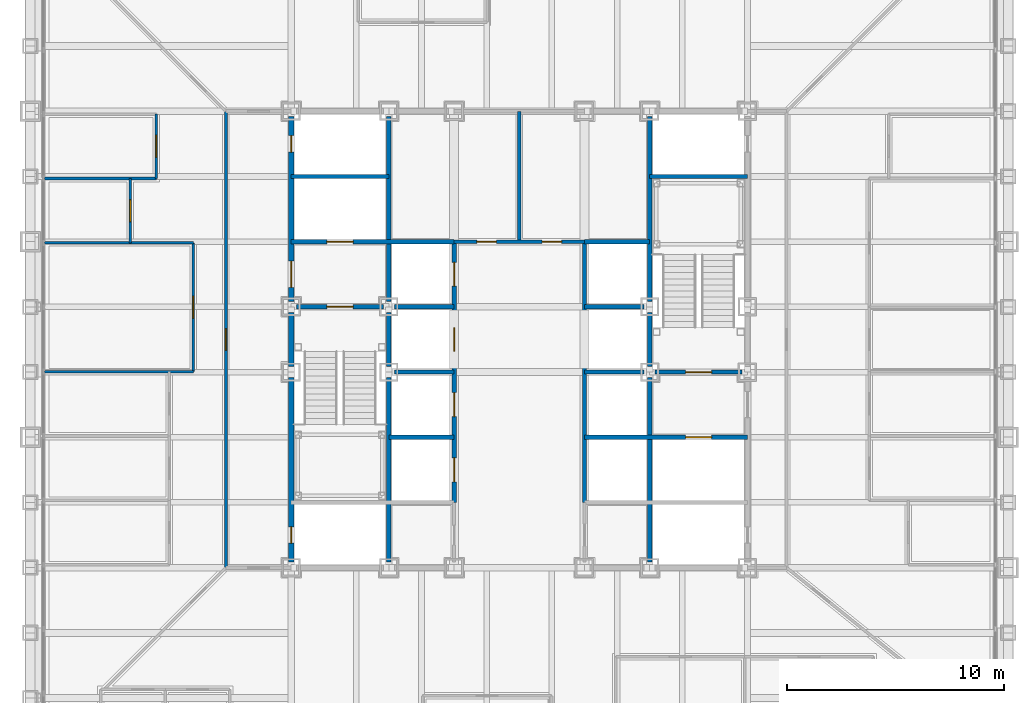
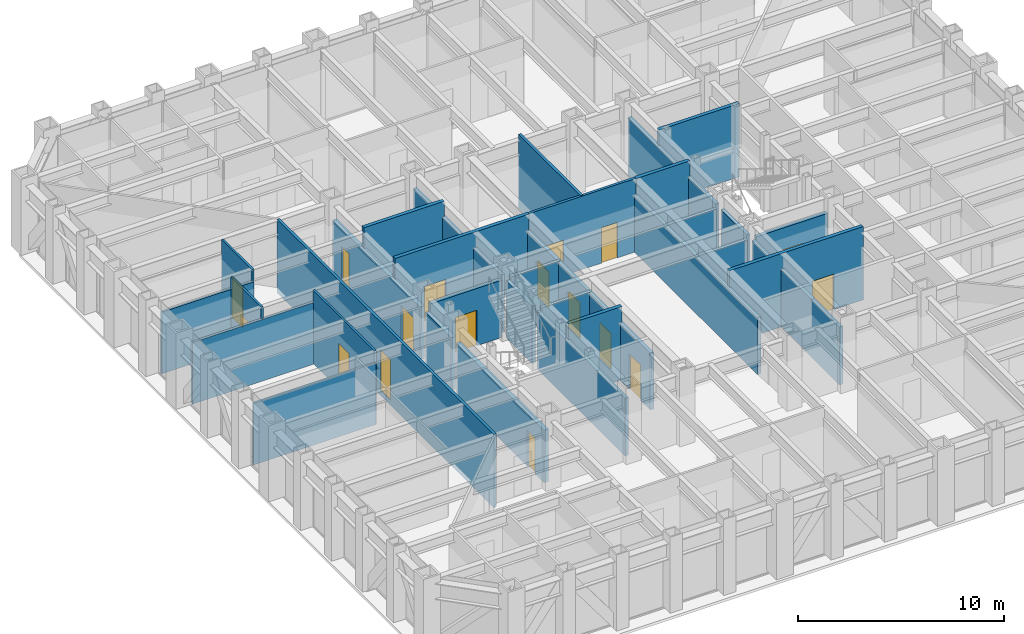
# One storey, part 9 of 17: 32 walls, 17 doors, 17 openings.
"""IFC4 building model written with IfcOpenShell, lengths in metres."""

from ifc_helpers import new_model, si_unit, direction, frame, frame_2d, origin, place, context, subcontext, project, spatial, rectangle, extrude, material, layer, layer_set, type_object, element, fill, save


model = new_model("IFC4")

# Units and contexts
model_context = context("Model", 3, precision=1e-05, world=origin(), true_north=direction((0.0, 1.0)))
body_context = subcontext(model_context, "Body", "Model", "MODEL_VIEW")
ifc_project = project(units=[si_unit("LENGTHUNIT", "METRE"), si_unit("AREAUNIT", "SQUARE_METRE"), si_unit("VOLUMEUNIT", "CUBIC_METRE"), si_unit("PLANEANGLEUNIT", "RADIAN"), si_unit("MASSUNIT", "GRAM", prefix="KILO")], contexts=[model_context])

# Site, building, storey
site_placement = place(None, origin())
site = spatial("IfcSite", under=ifc_project, at=site_placement, CompositionType="ELEMENT")
building_placement = place(site_placement, origin())
building = spatial("IfcBuilding", under=site, at=building_placement, Name="Chuquiago Exchange Tower", CompositionType="ELEMENT")
storey_placement = place(building_placement, frame((0.0, 0.0, 46.800048828125)))
storey = spatial("IfcBuildingStorey", under=building, at=storey_placement, Name="L09", CompositionType="ELEMENT", Elevation=46.800048828125)

# Wall, opening, door
ifc_material_1 = material(Name="Concrete masonry, fully grouted", Category="masonry")
ifc_layer_1 = layer(ifc_material_1, 0.25)
ifc_layer_set_1 = layer_set([ifc_layer_1], Name="W1 core wall 250")
wall_type_1 = type_object("IfcWallType", Name="W1 core wall 250", PredefinedType="SOLIDWALL", material=ifc_layer_set_1)
wall_1_placement = place(storey_placement, frame((12.0, 12.25, 0.0), z_axis=(0.0, 0.0, 1.0), x_axis=(0.0, 1.0, 0.0)))
wall_1 = element("IfcWall", 1, at=wall_1_placement, inside=storey, type_object=wall_type_1, Name="CW-L09-00-0", PredefinedType="SOLIDWALL", context=body_context, shape_type="SweptSolid", body=[
    extrude(rectangle(XDim=8.5, YDim=0.25, at=frame_2d((4.25, 0.0))), origin(), (0.0, 0.0, 1.0), 3.11279296875),
])
opening_1_placement = place(wall_1_placement, frame((0.875, 0.0, 0.0)))
opening_1 = element("IfcOpeningElement", 2, at=opening_1_placement, cuts=wall_1, Name="Opening L09-007", PredefinedType="OPENING", context=body_context, shape_type="SweptSolid", body=[
    extrude(rectangle(XDim=0.75, YDim=2.10009765625, at=frame_2d((0.375, 1.050048828125))), frame((0.0, 0.135009765625, 0.0), z_axis=(0.0, -1.0, 0.0), x_axis=(1.0, 0.0, 0.0)), (0.0, 0.0, 1.0), 0.27001953125),
])
ifc_material_2 = material(Name="Steel door, painted", Category="steel")
door_type_1 = type_object("IfcDoorType", Name="D6 riser access door 750x2100", OperationType="SINGLE_SWING_LEFT", PredefinedType="DOOR", material=ifc_material_2)
door_1_placement = place(opening_1_placement, origin())
door_1 = element("IfcDoor", 3, at=door_1_placement, inside=storey, type_object=door_type_1, Name="Riser RW1 door", OperationType="SINGLE_SWING_LEFT", OverallHeight=2.10009765625, OverallWidth=0.75, PredefinedType="DOOR", context=body_context, shape_type="SweptSolid", body=[
    extrude(rectangle(XDim=0.75, YDim=2.10009765625, at=frame_2d((0.375, 1.050048828125))), frame((0.0, 0.02490234375, 0.0), z_axis=(0.0, -1.0, 0.0), x_axis=(1.0, 0.0, 0.0)), (0.0, 0.0, 1.0), 0.050048828125),
])
fill(opening_1, door_1)

# Wall
wall_2_placement = place(storey_placement, frame((12.0, 21.25, 0.0), z_axis=(0.0, 0.0, 1.0), x_axis=(0.0, 1.0, 0.0)))
element("IfcWall", 4, at=wall_2_placement, inside=storey, type_object=wall_type_1, Name="CW-L09-00-1", PredefinedType="SOLIDWALL", context=body_context, shape_type="SweptSolid", body=[
    extrude(rectangle(XDim=2.5, YDim=0.25, at=frame_2d((1.25, 0.0))), origin(), (0.0, 0.0, 1.0), 3.11279296875),
])

# Wall, openings, doors
wall_3_placement = place(storey_placement, frame((12.0, 24.25, 0.0), z_axis=(0.0, 0.0, 1.0), x_axis=(0.0, 1.0, 0.0)))
wall_3 = element("IfcWall", 5, at=wall_3_placement, inside=storey, type_object=wall_type_1, Name="CW-L09-00-2", PredefinedType="SOLIDWALL", context=body_context, shape_type="SweptSolid", body=[
    extrude(rectangle(XDim=8.5, YDim=0.25, at=frame_2d((4.25, 0.0))), origin(), (0.0, 0.0, 1.0), 3.11279296875),
])
opening_2_placement = place(wall_3_placement, frame((0.64990234375, 0.0, 0.0)))
opening_2 = element("IfcOpeningElement", 6, at=opening_2_placement, cuts=wall_3, Name="Opening L09-002", PredefinedType="OPENING", context=body_context, shape_type="SweptSolid", body=[
    extrude(rectangle(XDim=1.199951171875, YDim=2.10009765625, at=frame_2d((0.60009765625, 1.050048828125))), frame((0.0, 0.135009765625, 0.0), z_axis=(0.0, -1.0, 0.0), x_axis=(1.0, 0.0, 0.0)), (0.0, 0.0, 1.0), 0.27001953125),
])
opening_3_placement = place(wall_3_placement, frame((6.875, 0.0, 0.0)))
opening_3 = element("IfcOpeningElement", 7, at=opening_3_placement, cuts=wall_3, Name="Opening L09-008", PredefinedType="OPENING", context=body_context, shape_type="SweptSolid", body=[
    extrude(rectangle(XDim=0.75, YDim=2.10009765625, at=frame_2d((0.375, 1.050048828125))), frame((0.0, 0.135009765625, 0.0), z_axis=(0.0, -1.0, 0.0), x_axis=(1.0, 0.0, 0.0)), (0.0, 0.0, 1.0), 0.27001953125),
])
ifc_material_3 = material(Name="Steel door, painted", Category="steel")
door_type_2 = type_object("IfcDoorType", Name="D5 firefighting lobby door 1200x2100", OperationType="SINGLE_SWING_LEFT", PredefinedType="DOOR", material=ifc_material_3)
door_2_placement = place(opening_2_placement, frame((1.199951171875, 0.0, 0.0), z_axis=(0.0, 0.0, 1.0), x_axis=(-1.0, 0.0, 0.0)))
door_2 = element("IfcDoor", 8, at=door_2_placement, inside=storey, type_object=door_type_2, Name="Firefighting lobby 1 door", OperationType="SINGLE_SWING_RIGHT", OverallHeight=2.10009765625, OverallWidth=1.199951171875, PredefinedType="DOOR", context=body_context, shape_type="SweptSolid", body=[
    extrude(rectangle(XDim=1.199951171875, YDim=2.10009765625, at=frame_2d((0.60009765625, 1.050048828125))), frame((0.0, 0.02490234375, 0.0), z_axis=(0.0, -1.0, 0.0), x_axis=(1.0, 0.0, 0.0)), (0.0, 0.0, 1.0), 0.050048828125),
])
fill(opening_2, door_2)
door_3_placement = place(opening_3_placement, origin())
door_3 = element("IfcDoor", 9, at=door_3_placement, inside=storey, type_object=door_type_1, Name="Riser RW2 door", OperationType="SINGLE_SWING_RIGHT", OverallHeight=2.10009765625, OverallWidth=0.75, PredefinedType="DOOR", context=body_context, shape_type="SweptSolid", body=[
    extrude(rectangle(XDim=0.75, YDim=2.10009765625, at=frame_2d((0.375, 1.050048828125))), frame((0.0, 0.02490234375, 0.0), z_axis=(0.0, -1.0, 0.0), x_axis=(1.0, 0.0, 0.0)), (0.0, 0.0, 1.0), 0.050048828125),
])
fill(opening_3, door_3)

# Wall, opening, door
ifc_material_4 = material(Name="Gypsum board on steel studs, acoustic insulation", Category="steel")
ifc_layer_2 = layer(ifc_material_4, 0.14990234375)
ifc_layer_set_2 = layer_set([ifc_layer_2], Name="W11 corridor wall 150")
wall_type_2 = type_object("IfcWallType", Name="W11 corridor wall 150", PredefinedType="PARTITIONING", material=ifc_layer_set_2)
wall_4_placement = place(storey_placement, frame((9.0, 12.0, -0.300048828125), z_axis=(0.0, 0.0, 1.0), x_axis=(0.0, 1.0, 0.0)))
wall_4 = element("IfcWall", 10, at=wall_4_placement, inside=storey, type_object=wall_type_2, Name="PW-L09-GW0", PredefinedType="PARTITIONING", context=body_context, shape_type="SweptSolid", body=[
    extrude(rectangle(XDim=21.0, YDim=0.14990234375, at=frame_2d((10.5, 0.0))), origin(), (0.0, 0.0, 1.0), 4.340087890625),
])
opening_4_placement = place(wall_4_placement, frame((10.0, 0.0, 0.300048828125)))
opening_4 = element("IfcOpeningElement", 11, at=opening_4_placement, cuts=wall_4, Name="Opening L09-050", PredefinedType="OPENING", context=body_context, shape_type="SweptSolid", body=[
    extrude(rectangle(XDim=1.0, YDim=2.39990234375, at=frame_2d((0.5, 1.199951171875))), frame((0.0, 0.0849609375, 0.0), z_axis=(0.0, -1.0, 0.0), x_axis=(1.0, 0.0, 0.0)), (0.0, 0.0, 1.0), 0.169921875),
])
ifc_material_5 = material(Name="Timber door, laminate faced", Category="wood")
door_type_3 = type_object("IfcDoorType", Name="D9 room door 1000x2400", OperationType="SINGLE_SWING_LEFT", PredefinedType="DOOR", material=ifc_material_5)
door_4_placement = place(opening_4_placement, origin())
door_4 = element("IfcDoor", 12, at=door_4_placement, inside=storey, type_object=door_type_3, Name="Team area door", OperationType="SINGLE_SWING_LEFT", OverallHeight=2.39990234375, OverallWidth=1.0, PredefinedType="DOOR", context=body_context, shape_type="SweptSolid", body=[
    extrude(rectangle(XDim=1.0, YDim=2.39990234375, at=frame_2d((0.5, 1.199951171875))), frame((0.0, 0.02490234375, 0.0), z_axis=(0.0, -1.0, 0.0), x_axis=(1.0, 0.0, 0.0)), (0.0, 0.0, 1.0), 0.050048828125),
])
fill(opening_4, door_4)

ifc_material_6 = material(Name="Concrete masonry, fully grouted", Category="masonry")
ifc_layer_3 = layer(ifc_material_6, 0.199951171875)
ifc_layer_set_3 = layer_set([ifc_layer_3], Name="W2 shaft wall 200")
wall_type_3 = type_object("IfcWallType", Name="W2 shaft wall 200", PredefinedType="SOLIDWALL", material=ifc_layer_set_3)
wall_5_placement = place(storey_placement, frame((12.25, 24.0, 0.0), z_axis=(0.0, 0.0, 1.0), x_axis=(1.0, 0.0, 0.0)))
wall_5 = element("IfcWall", 13, at=wall_5_placement, inside=storey, type_object=wall_type_3, Name="CW-L09-05-0", PredefinedType="SOLIDWALL", context=body_context, shape_type="SweptSolid", body=[
    extrude(rectangle(XDim=4.0, YDim=0.199951171875, at=frame_2d((2.0, 0.0))), origin(), (0.0, 0.0, 1.0), 3.389892578125),
])
opening_5_placement = place(wall_5_placement, frame((1.39990234375, 0.0, 0.0)))
opening_5 = element("IfcOpeningElement", 14, at=opening_5_placement, cuts=wall_5, Name="Opening L09-001", PredefinedType="OPENING", context=body_context, shape_type="SweptSolid", body=[
    extrude(rectangle(XDim=1.199951171875, YDim=2.10009765625, at=frame_2d((0.60009765625, 1.050048828125))), frame((0.0, 0.10986328125, 0.0), z_axis=(0.0, -1.0, 0.0), x_axis=(1.0, 0.0, 0.0)), (0.0, 0.0, 1.0), 0.219970703125),
])
ifc_material_7 = material(Name="Steel door, painted", Category="steel")
door_type_4 = type_object("IfcDoorType", Name="D4 stair door 1200x2100", OperationType="SINGLE_SWING_LEFT", PredefinedType="DOOR", material=ifc_material_7)
door_5_placement = place(opening_5_placement, frame((1.199951171875, 0.0, 0.0), z_axis=(0.0, 0.0, 1.0), x_axis=(-1.0, 0.0, 0.0)))
door_5 = element("IfcDoor", 15, at=door_5_placement, inside=storey, type_object=door_type_4, Name="Stair ST1 door", OperationType="SINGLE_SWING_RIGHT", OverallHeight=2.10009765625, OverallWidth=1.199951171875, PredefinedType="DOOR", context=body_context, shape_type="SweptSolid", body=[
    extrude(rectangle(XDim=1.199951171875, YDim=2.10009765625, at=frame_2d((0.60009765625, 1.050048828125))), frame((0.0, 0.02490234375, 0.0), z_axis=(0.0, -1.0, 0.0), x_axis=(1.0, 0.0, 0.0)), (0.0, 0.0, 1.0), 0.050048828125),
])
fill(opening_5, door_5)

# Walls
for number, where, z_axis, x_axis, name in (
    (16, (16.75, 24.0, 0.0), (0.0, 0.0, 1.0), (1.0, 0.0, 0.0), "CW-L09-05-1"),
    (17, (25.5, 24.0, 0.0), (0.0, 0.0, 1.0), (1.0, 0.0, 0.0), "CW-L09-06-0"),
):
    element("IfcWall", number, at=place(storey_placement, frame(where, z_axis=z_axis, x_axis=x_axis)), inside=storey, type_object=wall_type_3, Name=name, PredefinedType="SOLIDWALL", context=body_context, shape_type="SweptSolid", body=[
        extrude(rectangle(XDim=2.75, YDim=0.199951171875, at=frame_2d((1.375, 0.0))), origin(), (0.0, 0.0, 1.0), 3.389892578125),
    ])

# Wall, opening, door
wall_6_placement = place(storey_placement, frame((12.0, 27.0, 0.0), z_axis=(0.0, 0.0, 1.0), x_axis=(1.0, 0.0, 0.0)))
wall_6 = element("IfcWall", 18, at=wall_6_placement, inside=storey, type_object=wall_type_3, Name="CW-L09-07-0", PredefinedType="SOLIDWALL", context=body_context, shape_type="SweptSolid", body=[
    extrude(rectangle(XDim=7.5, YDim=0.199951171875, at=frame_2d((3.75, 0.0))), origin(), (0.0, 0.0, 1.0), 4.33984375),
])
opening_6_placement = place(wall_6_placement, frame((1.64990234375, 0.0, 0.0)))
opening_6 = element("IfcOpeningElement", 19, at=opening_6_placement, cuts=wall_6, Name="Opening L09-005", PredefinedType="OPENING", context=body_context, shape_type="SweptSolid", body=[
    extrude(rectangle(XDim=1.199951171875, YDim=2.10009765625, at=frame_2d((0.60009765625, 1.050048828125))), frame((0.0, 0.10986328125, 0.0), z_axis=(0.0, -1.0, 0.0), x_axis=(1.0, 0.0, 0.0)), (0.0, 0.0, 1.0), 0.219970703125),
])
ifc_material_8 = material(Name="Stainless steel lift landing door", Category="steel")
door_type_5 = type_object("IfcDoorType", Name="LD2 firefighting lift landing door 1200x2100", OperationType="DOUBLE_DOOR_SLIDING", PredefinedType="DOOR", material=ifc_material_8)
door_6_placement = place(opening_6_placement, origin())
door_6 = element("IfcDoor", 20, at=door_6_placement, inside=storey, type_object=door_type_5, Name="Firefighting lift FL1 landing door", OperationType="DOUBLE_DOOR_SLIDING", OverallHeight=2.10009765625, OverallWidth=1.199951171875, PredefinedType="DOOR", context=body_context, shape_type="SweptSolid", body=[
    extrude(rectangle(XDim=1.199951171875, YDim=2.10009765625, at=frame_2d((0.60009765625, 1.050048828125))), frame((0.0, 0.02490234375, 0.0), z_axis=(0.0, -1.0, 0.0), x_axis=(1.0, 0.0, 0.0)), (0.0, 0.0, 1.0), 0.050048828125),
])
fill(opening_6, door_6)

# Walls
wall_7_placement = place(storey_placement, frame((25.5, 27.0, 0.0), z_axis=(0.0, 0.0, 1.0), x_axis=(1.0, 0.0, 0.0)))
element("IfcWall", 21, at=wall_7_placement, inside=storey, type_object=wall_type_3, Name="CW-L09-08-0", PredefinedType="SOLIDWALL", context=body_context, shape_type="SweptSolid", body=[
    extrude(rectangle(XDim=3.0, YDim=0.199951171875, at=frame_2d((1.5, 0.0))), origin(), (0.0, 0.0, 1.0), 4.33984375),
])
for number, where, z_axis, x_axis, name in (
    (22, (12.0, 30.0, 0.0), (0.0, 0.0, 1.0), (1.0, 0.0, 0.0), "CW-L09-09-0"),
    (23, (28.5, 30.0, 0.0), (0.0, 0.0, 1.0), (1.0, 0.0, 0.0), "CW-L09-10-0"),
):
    element("IfcWall", number, at=place(storey_placement, frame(where, z_axis=z_axis, x_axis=x_axis)), inside=storey, type_object=wall_type_3, Name=name, PredefinedType="SOLIDWALL", context=body_context, shape_type="SweptSolid", body=[
        extrude(rectangle(XDim=4.5, YDim=0.199951171875, at=frame_2d((2.25, 0.0))), origin(), (0.0, 0.0, 1.0), 4.33984375),
    ])
wall_8_placement = place(storey_placement, frame((16.5, 12.25, 0.0), z_axis=(0.0, 0.0, 1.0), x_axis=(0.0, 1.0, 0.0)))
element("IfcWall", 24, at=wall_8_placement, inside=storey, type_object=wall_type_3, Name="CW-L09-13-0", PredefinedType="SOLIDWALL", context=body_context, shape_type="SweptSolid", body=[
    extrude(rectangle(XDim=8.5, YDim=0.199951171875, at=frame_2d((4.25, 0.0))), origin(), (0.0, 0.0, 1.0), 3.412841796875),
])
wall_9_placement = place(storey_placement, frame((16.5, 21.25, 0.0), z_axis=(0.0, 0.0, 1.0), x_axis=(0.0, 1.0, 0.0)))
element("IfcWall", 25, at=wall_9_placement, inside=storey, type_object=wall_type_3, Name="CW-L09-13-1", PredefinedType="SOLIDWALL", context=body_context, shape_type="SweptSolid", body=[
    extrude(rectangle(XDim=2.5, YDim=0.199951171875, at=frame_2d((1.25, 0.0))), origin(), (0.0, 0.0, 1.0), 3.412841796875),
])
wall_10_placement = place(storey_placement, frame((16.5, 24.25, 0.0), z_axis=(0.0, 0.0, 1.0), x_axis=(0.0, 1.0, 0.0)))
element("IfcWall", 26, at=wall_10_placement, inside=storey, type_object=wall_type_3, Name="CW-L09-13-2", PredefinedType="SOLIDWALL", context=body_context, shape_type="SweptSolid", body=[
    extrude(rectangle(XDim=8.5, YDim=0.199951171875, at=frame_2d((4.25, 0.0))), origin(), (0.0, 0.0, 1.0), 3.412841796875),
])
wall_11_placement = place(storey_placement, frame((16.5, 18.0, 0.0), z_axis=(0.0, 0.0, 1.0), x_axis=(1.0, 0.0, 0.0)))
element("IfcWall", 27, at=wall_11_placement, inside=storey, type_object=wall_type_3, Name="CW-L09-14-0", PredefinedType="SOLIDWALL", context=body_context, shape_type="SweptSolid", body=[
    extrude(rectangle(XDim=3.0, YDim=0.199951171875, at=frame_2d((1.5, 0.0))), origin(), (0.0, 0.0, 1.0), 4.33984375),
])

# Wall, opening, door
wall_12_placement = place(storey_placement, frame((25.5, 18.0, 0.0), z_axis=(0.0, 0.0, 1.0), x_axis=(1.0, 0.0, 0.0)))
wall_12 = element("IfcWall", 28, at=wall_12_placement, inside=storey, type_object=wall_type_3, Name="CW-L09-15-0", PredefinedType="SOLIDWALL", context=body_context, shape_type="SweptSolid", body=[
    extrude(rectangle(XDim=7.5, YDim=0.199951171875, at=frame_2d((3.75, 0.0))), origin(), (0.0, 0.0, 1.0), 4.33984375),
])
opening_7_placement = place(wall_12_placement, frame((4.64990234375, 0.0, 0.0)))
opening_7 = element("IfcOpeningElement", 29, at=opening_7_placement, cuts=wall_12, Name="Opening L09-006", PredefinedType="OPENING", context=body_context, shape_type="SweptSolid", body=[
    extrude(rectangle(XDim=1.199951171875, YDim=2.10009765625, at=frame_2d((0.60009765625, 1.050048828125))), frame((0.0, 0.10986328125, 0.0), z_axis=(0.0, -1.0, 0.0), x_axis=(1.0, 0.0, 0.0)), (0.0, 0.0, 1.0), 0.219970703125),
])
door_7_placement = place(opening_7_placement, origin())
door_7 = element("IfcDoor", 30, at=door_7_placement, inside=storey, type_object=door_type_5, Name="Firefighting lift FL2 landing door", OperationType="DOUBLE_DOOR_SLIDING", OverallHeight=2.10009765625, OverallWidth=1.199951171875, PredefinedType="DOOR", context=body_context, shape_type="SweptSolid", body=[
    extrude(rectangle(XDim=1.199951171875, YDim=2.10009765625, at=frame_2d((0.60009765625, 1.050048828125))), frame((0.0, 0.02490234375, 0.0), z_axis=(0.0, -1.0, 0.0), x_axis=(1.0, 0.0, 0.0)), (0.0, 0.0, 1.0), 0.050048828125),
])
fill(opening_7, door_7)

# Walls
for number, where, z_axis, x_axis, name in (
    (31, (16.75, 21.0, 0.0), (0.0, 0.0, 1.0), (1.0, 0.0, 0.0), "CW-L09-16-0"),
    (32, (25.5, 21.0, 0.0), (0.0, 0.0, 1.0), (1.0, 0.0, 0.0), "CW-L09-17-0"),
):
    element("IfcWall", number, at=place(storey_placement, frame(where, z_axis=z_axis, x_axis=x_axis)), inside=storey, type_object=wall_type_3, Name=name, PredefinedType="SOLIDWALL", context=body_context, shape_type="SweptSolid", body=[
        extrude(rectangle(XDim=2.75, YDim=0.199951171875, at=frame_2d((1.375, 0.0))), origin(), (0.0, 0.0, 1.0), 3.389892578125),
    ])

# Wall, opening, door
wall_13_placement = place(storey_placement, frame((28.75, 21.0, 0.0), z_axis=(0.0, 0.0, 1.0), x_axis=(1.0, 0.0, 0.0)))
wall_13 = element("IfcWall", 33, at=wall_13_placement, inside=storey, type_object=wall_type_3, Name="CW-L09-17-1", PredefinedType="SOLIDWALL", context=body_context, shape_type="SweptSolid", body=[
    extrude(rectangle(XDim=4.0, YDim=0.199951171875, at=frame_2d((2.0, 0.0))), origin(), (0.0, 0.0, 1.0), 3.389892578125),
])
opening_8_placement = place(wall_13_placement, frame((1.39990234375, 0.0, 0.0)))
opening_8 = element("IfcOpeningElement", 34, at=opening_8_placement, cuts=wall_13, Name="Opening L09-003", PredefinedType="OPENING", context=body_context, shape_type="SweptSolid", body=[
    extrude(rectangle(XDim=1.199951171875, YDim=2.10009765625, at=frame_2d((0.60009765625, 1.050048828125))), frame((0.0, 0.10986328125, 0.0), z_axis=(0.0, -1.0, 0.0), x_axis=(1.0, 0.0, 0.0)), (0.0, 0.0, 1.0), 0.219970703125),
])
door_8_placement = place(opening_8_placement, origin())
door_8 = element("IfcDoor", 35, at=door_8_placement, inside=storey, type_object=door_type_4, Name="Stair ST2 door", OperationType="SINGLE_SWING_LEFT", OverallHeight=2.10009765625, OverallWidth=1.199951171875, PredefinedType="DOOR", context=body_context, shape_type="SweptSolid", body=[
    extrude(rectangle(XDim=1.199951171875, YDim=2.10009765625, at=frame_2d((0.60009765625, 1.050048828125))), frame((0.0, 0.02490234375, 0.0), z_axis=(0.0, -1.0, 0.0), x_axis=(1.0, 0.0, 0.0)), (0.0, 0.0, 1.0), 0.050048828125),
])
fill(opening_8, door_8)

# Wall, openings, doors
wall_14_placement = place(storey_placement, frame((19.5, 15.0, 0.0), z_axis=(0.0, 0.0, 1.0), x_axis=(0.0, 1.0, 0.0)))
wall_14 = element("IfcWall", 36, at=wall_14_placement, inside=storey, type_object=wall_type_3, Name="CW-L09-19-0", PredefinedType="SOLIDWALL", context=body_context, shape_type="SweptSolid", body=[
    extrude(rectangle(XDim=12.0, YDim=0.199951171875, at=frame_2d((6.0, 0.0))), origin(), (0.0, 0.0, 1.0), 3.364501953125),
])
opening_9_placement = place(wall_14_placement, frame((0.949951171875, 0.0, 0.0)))
opening_9 = element("IfcOpeningElement", 37, at=opening_9_placement, cuts=wall_14, Name="Opening L09-015", PredefinedType="OPENING", context=body_context, shape_type="SweptSolid", body=[
    extrude(rectangle(XDim=1.10009765625, YDim=2.10009765625, at=frame_2d((0.550048828125, 1.050048828125))), frame((0.0, 0.10986328125, 0.0), z_axis=(0.0, -1.0, 0.0), x_axis=(1.0, 0.0, 0.0)), (0.0, 0.0, 1.0), 0.219970703125),
])
opening_10_placement = place(wall_14_placement, frame((3.949951171875, 0.0, 0.0)))
opening_10 = element("IfcOpeningElement", 38, at=opening_10_placement, cuts=wall_14, Name="Opening L09-016", PredefinedType="OPENING", context=body_context, shape_type="SweptSolid", body=[
    extrude(rectangle(XDim=1.10009765625, YDim=2.10009765625, at=frame_2d((0.550048828125, 1.050048828125))), frame((0.0, 0.10986328125, 0.0), z_axis=(0.0, -1.0, 0.0), x_axis=(1.0, 0.0, 0.0)), (0.0, 0.0, 1.0), 0.219970703125),
])
opening_11_placement = place(wall_14_placement, frame((6.949951171875, 0.0, 0.0)))
opening_11 = element("IfcOpeningElement", 39, at=opening_11_placement, cuts=wall_14, Name="Opening L09-017", PredefinedType="OPENING", context=body_context, shape_type="SweptSolid", body=[
    extrude(rectangle(XDim=1.10009765625, YDim=2.10009765625, at=frame_2d((0.550048828125, 1.050048828125))), frame((0.0, 0.10986328125, 0.0), z_axis=(0.0, -1.0, 0.0), x_axis=(1.0, 0.0, 0.0)), (0.0, 0.0, 1.0), 0.219970703125),
])
opening_12_placement = place(wall_14_placement, frame((9.949951171875, 0.0, 0.0)))
opening_12 = element("IfcOpeningElement", 40, at=opening_12_placement, cuts=wall_14, Name="Opening L09-018", PredefinedType="OPENING", context=body_context, shape_type="SweptSolid", body=[
    extrude(rectangle(XDim=1.10009765625, YDim=2.10009765625, at=frame_2d((0.550048828125, 1.050048828125))), frame((0.0, 0.10986328125, 0.0), z_axis=(0.0, -1.0, 0.0), x_axis=(1.0, 0.0, 0.0)), (0.0, 0.0, 1.0), 0.219970703125),
])
ifc_material_9 = material(Name="Stainless steel lift landing door", Category="steel")
door_type_6 = type_object("IfcDoorType", Name="LD1 lift landing door 1100x2100", OperationType="DOUBLE_DOOR_SLIDING", PredefinedType="DOOR", material=ifc_material_9)
door_9_placement = place(opening_9_placement, origin())
door_9 = element("IfcDoor", 41, at=door_9_placement, inside=storey, type_object=door_type_6, Name="Lift LA1 landing door", OperationType="DOUBLE_DOOR_SLIDING", OverallHeight=2.10009765625, OverallWidth=1.10009765625, PredefinedType="DOOR", context=body_context, shape_type="SweptSolid", body=[
    extrude(rectangle(XDim=1.10009765625, YDim=2.10009765625, at=frame_2d((0.550048828125, 1.050048828125))), frame((0.0, 0.02490234375, 0.0), z_axis=(0.0, -1.0, 0.0), x_axis=(1.0, 0.0, 0.0)), (0.0, 0.0, 1.0), 0.050048828125),
])
fill(opening_9, door_9)
door_10_placement = place(opening_10_placement, origin())
door_10 = element("IfcDoor", 42, at=door_10_placement, inside=storey, type_object=door_type_6, Name="Lift LA2 landing door", OperationType="DOUBLE_DOOR_SLIDING", OverallHeight=2.10009765625, OverallWidth=1.10009765625, PredefinedType="DOOR", context=body_context, shape_type="SweptSolid", body=[
    extrude(rectangle(XDim=1.10009765625, YDim=2.10009765625, at=frame_2d((0.550048828125, 1.050048828125))), frame((0.0, 0.02490234375, 0.0), z_axis=(0.0, -1.0, 0.0), x_axis=(1.0, 0.0, 0.0)), (0.0, 0.0, 1.0), 0.050048828125),
])
fill(opening_10, door_10)
door_11_placement = place(opening_11_placement, origin())
door_11 = element("IfcDoor", 43, at=door_11_placement, inside=storey, type_object=door_type_6, Name="Lift LA3 landing door", OperationType="DOUBLE_DOOR_SLIDING", OverallHeight=2.10009765625, OverallWidth=1.10009765625, PredefinedType="DOOR", context=body_context, shape_type="SweptSolid", body=[
    extrude(rectangle(XDim=1.10009765625, YDim=2.10009765625, at=frame_2d((0.550048828125, 1.050048828125))), frame((0.0, 0.02490234375, 0.0), z_axis=(0.0, -1.0, 0.0), x_axis=(1.0, 0.0, 0.0)), (0.0, 0.0, 1.0), 0.050048828125),
])
fill(opening_11, door_11)
door_12_placement = place(opening_12_placement, origin())
door_12 = element("IfcDoor", 44, at=door_12_placement, inside=storey, type_object=door_type_6, Name="Lift LA4 landing door", OperationType="DOUBLE_DOOR_SLIDING", OverallHeight=2.10009765625, OverallWidth=1.10009765625, PredefinedType="DOOR", context=body_context, shape_type="SweptSolid", body=[
    extrude(rectangle(XDim=1.10009765625, YDim=2.10009765625, at=frame_2d((0.550048828125, 1.050048828125))), frame((0.0, 0.02490234375, 0.0), z_axis=(0.0, -1.0, 0.0), x_axis=(1.0, 0.0, 0.0)), (0.0, 0.0, 1.0), 0.050048828125),
])
fill(opening_12, door_12)

# Walls
wall_15_placement = place(storey_placement, frame((25.5, 15.0, 0.0), z_axis=(0.0, 0.0, 1.0), x_axis=(0.0, 1.0, 0.0)))
element("IfcWall", 45, at=wall_15_placement, inside=storey, type_object=wall_type_3, Name="CW-L09-22-0", PredefinedType="SOLIDWALL", context=body_context, shape_type="SweptSolid", body=[
    extrude(rectangle(XDim=12.0, YDim=0.199951171875, at=frame_2d((6.0, 0.0))), origin(), (0.0, 0.0, 1.0), 3.364501953125),
])
wall_16_placement = place(storey_placement, frame((28.5, 12.25, 0.0), z_axis=(0.0, 0.0, 1.0), x_axis=(0.0, 1.0, 0.0)))
element("IfcWall", 46, at=wall_16_placement, inside=storey, type_object=wall_type_3, Name="CW-L09-24-0", PredefinedType="SOLIDWALL", context=body_context, shape_type="SweptSolid", body=[
    extrude(rectangle(XDim=8.5, YDim=0.199951171875, at=frame_2d((4.25, 0.0))), origin(), (0.0, 0.0, 1.0), 3.412841796875),
])
wall_17_placement = place(storey_placement, frame((28.5, 21.25, 0.0), z_axis=(0.0, 0.0, 1.0), x_axis=(0.0, 1.0, 0.0)))
element("IfcWall", 47, at=wall_17_placement, inside=storey, type_object=wall_type_3, Name="CW-L09-24-1", PredefinedType="SOLIDWALL", context=body_context, shape_type="SweptSolid", body=[
    extrude(rectangle(XDim=2.5, YDim=0.199951171875, at=frame_2d((1.25, 0.0))), origin(), (0.0, 0.0, 1.0), 3.412841796875),
])
wall_18_placement = place(storey_placement, frame((28.5, 24.25, 0.0), z_axis=(0.0, 0.0, 1.0), x_axis=(0.0, 1.0, 0.0)))
element("IfcWall", 48, at=wall_18_placement, inside=storey, type_object=wall_type_3, Name="CW-L09-24-2", PredefinedType="SOLIDWALL", context=body_context, shape_type="SweptSolid", body=[
    extrude(rectangle(XDim=8.5, YDim=0.199951171875, at=frame_2d((4.25, 0.0))), origin(), (0.0, 0.0, 1.0), 3.412841796875),
])

# Wall, openings, doors
ifc_material_10 = material(Name="Gypsum board on steel studs", Category="steel")
ifc_layer_4 = layer(ifc_material_10, 0.14990234375)
ifc_layer_set_4 = layer_set([ifc_layer_4], Name="W3 core partition 150")
wall_type_4 = type_object("IfcWallType", Name="W3 core partition 150", PredefinedType="PARTITIONING", material=ifc_layer_set_4)
wall_19_placement = place(storey_placement, frame((19.5, 27.0, 0.0), z_axis=(0.0, 0.0, 1.0), x_axis=(1.0, 0.0, 0.0)))
wall_19 = element("IfcWall", 49, at=wall_19_placement, inside=storey, type_object=wall_type_4, Name="CW-L09-TF", PredefinedType="PARTITIONING", context=body_context, shape_type="SweptSolid", body=[
    extrude(rectangle(XDim=6.0, YDim=0.14990234375, at=frame_2d((3.0, 0.0))), origin(), (0.0, 0.0, 1.0), 4.33984375),
])
opening_13_placement = place(wall_19_placement, frame((1.050048828125, 0.0, 0.0)))
opening_13 = element("IfcOpeningElement", 50, at=opening_13_placement, cuts=wall_19, Name="Opening L09-011", PredefinedType="OPENING", context=body_context, shape_type="SweptSolid", body=[
    extrude(rectangle(XDim=0.89990234375, YDim=2.10009765625, at=frame_2d((0.449951171875, 1.050048828125))), frame((0.0, 0.0849609375, 0.0), z_axis=(0.0, -1.0, 0.0), x_axis=(1.0, 0.0, 0.0)), (0.0, 0.0, 1.0), 0.169921875),
])
opening_14_placement = place(wall_19_placement, frame((4.050048828125, 0.0, 0.0)))
opening_14 = element("IfcOpeningElement", 51, at=opening_14_placement, cuts=wall_19, Name="Opening L09-012", PredefinedType="OPENING", context=body_context, shape_type="SweptSolid", body=[
    extrude(rectangle(XDim=0.89990234375, YDim=2.10009765625, at=frame_2d((0.449951171875, 1.050048828125))), frame((0.0, 0.0849609375, 0.0), z_axis=(0.0, -1.0, 0.0), x_axis=(1.0, 0.0, 0.0)), (0.0, 0.0, 1.0), 0.169921875),
])
ifc_material_11 = material(Name="Timber door, laminate faced", Category="wood")
door_type_7 = type_object("IfcDoorType", Name="D7 toilet door 900x2100", OperationType="SINGLE_SWING_LEFT", PredefinedType="DOOR", material=ifc_material_11)
door_13_placement = place(opening_13_placement, origin())
door_13 = element("IfcDoor", 52, at=door_13_placement, inside=storey, type_object=door_type_7, Name="Male WC door", OperationType="SINGLE_SWING_RIGHT", OverallHeight=2.10009765625, OverallWidth=0.89990234375, PredefinedType="DOOR", context=body_context, shape_type="SweptSolid", body=[
    extrude(rectangle(XDim=0.89990234375, YDim=2.10009765625, at=frame_2d((0.449951171875, 1.050048828125))), frame((0.0, 0.02490234375, 0.0), z_axis=(0.0, -1.0, 0.0), x_axis=(1.0, 0.0, 0.0)), (0.0, 0.0, 1.0), 0.050048828125),
])
fill(opening_13, door_13)
door_14_placement = place(opening_14_placement, origin())
door_14 = element("IfcDoor", 53, at=door_14_placement, inside=storey, type_object=door_type_7, Name="Female WC door", OperationType="SINGLE_SWING_LEFT", OverallHeight=2.10009765625, OverallWidth=0.89990234375, PredefinedType="DOOR", context=body_context, shape_type="SweptSolid", body=[
    extrude(rectangle(XDim=0.89990234375, YDim=2.10009765625, at=frame_2d((0.449951171875, 1.050048828125))), frame((0.0, 0.02490234375, 0.0), z_axis=(0.0, -1.0, 0.0), x_axis=(1.0, 0.0, 0.0)), (0.0, 0.0, 1.0), 0.050048828125),
])
fill(opening_14, door_14)

# Walls
wall_20_placement = place(storey_placement, frame((22.5, 27.0, 0.0), z_axis=(0.0, 0.0, 1.0), x_axis=(0.0, 1.0, 0.0)))
element("IfcWall", 54, at=wall_20_placement, inside=storey, type_object=wall_type_4, Name="CW-L09-TM", PredefinedType="PARTITIONING", context=body_context, shape_type="SweptSolid", body=[
    extrude(rectangle(XDim=6.0, YDim=0.14990234375, at=frame_2d((3.0, 0.0))), origin(), (0.0, 0.0, 1.0), 4.33984375),
])
ifc_material_12 = material(Name="Gypsum board on steel studs", Category="steel")
ifc_layer_5 = layer(ifc_material_12, 0.1201171875)
ifc_layer_set_5 = layer_set([ifc_layer_5], Name="W4 partition 120")
wall_type_5 = type_object("IfcWallType", Name="W4 partition 120", PredefinedType="PARTITIONING", material=ifc_layer_set_5)
for number, where, z_axis, x_axis, name in (
    (55, (0.657470703125, 21.01904296875, -0.300048828125), (0.0, 0.0, 1.0), (1.0, 0.0, 0.0), "PW-L09-W02102"),
    (56, (0.657470703125, 26.942626953125, -0.300048828125), (0.0, 0.0, 1.0), (1.0, 0.0, 0.0), "PW-L09-W02694"),
):
    element("IfcWall", number, at=place(storey_placement, frame(where, z_axis=z_axis, x_axis=x_axis)), inside=storey, type_object=wall_type_5, Name=name, PredefinedType="PARTITIONING", context=body_context, shape_type="SweptSolid", body=[
        extrude(rectangle(XDim=6.842529296875, YDim=0.1201171875, at=frame_2d((3.42138671875, 0.0))), origin(), (0.0, 0.0, 1.0), 3.646484375),
    ])
wall_21_placement = place(storey_placement, frame((0.657470703125, 29.904296875, -0.300048828125), z_axis=(0.0, 0.0, 1.0), x_axis=(1.0, 0.0, 0.0)))
element("IfcWall", 57, at=wall_21_placement, inside=storey, type_object=wall_type_5, Name="PW-L09-W02990", PredefinedType="PARTITIONING", context=body_context, shape_type="SweptSolid", body=[
    extrude(rectangle(XDim=5.142578125, YDim=0.1201171875, at=frame_2d((2.5712890625, 0.0))), origin(), (0.0, 0.0, 1.0), 3.646484375),
])

# Wall, opening, door
wall_22_placement = place(storey_placement, frame((7.5, 21.01904296875, -0.300048828125), z_axis=(0.0, 0.0, 1.0), x_axis=(0.0, 1.0, 0.0)))
wall_22 = element("IfcWall", 58, at=wall_22_placement, inside=storey, type_object=wall_type_5, Name="PW-L09-WF02102", PredefinedType="PARTITIONING", context=body_context, shape_type="SweptSolid", body=[
    extrude(rectangle(XDim=5.923583984375, YDim=0.1201171875, at=frame_2d((2.9619140625, 0.0))), origin(), (0.0, 0.0, 1.0), 4.340087890625),
])
opening_15_placement = place(wall_22_placement, frame((2.461669921875, 0.0, 0.300048828125)))
opening_15 = element("IfcOpeningElement", 59, at=opening_15_placement, cuts=wall_22, Name="Opening L09-047", PredefinedType="OPENING", context=body_context, shape_type="SweptSolid", body=[
    extrude(rectangle(XDim=1.0, YDim=2.39990234375, at=frame_2d((0.5, 1.199951171875))), frame((0.0, 0.070068359375, 0.0), z_axis=(0.0, -1.0, 0.0), x_axis=(1.0, 0.0, 0.0)), (0.0, 0.0, 1.0), 0.14013671875),
])
ifc_material_13 = material(Name="Timber frame door, full height glazed panel", Category="wood")
door_type_8 = type_object("IfcDoorType", Name="D14 glazed meeting room door 1000x2400", OperationType="SINGLE_SWING_LEFT", PredefinedType="DOOR", material=ifc_material_13)
door_15_placement = place(opening_15_placement, origin())
door_15 = element("IfcDoor", 60, at=door_15_placement, inside=storey, type_object=door_type_8, Name="Conference room door", OperationType="SINGLE_SWING_LEFT", OverallHeight=2.39990234375, OverallWidth=1.0, PredefinedType="DOOR", context=body_context, shape_type="SweptSolid", body=[
    extrude(rectangle(XDim=1.0, YDim=2.39990234375, at=frame_2d((0.5, 1.199951171875))), frame((0.0, 0.02490234375, 0.0), z_axis=(0.0, -1.0, 0.0), x_axis=(1.0, 0.0, 0.0)), (0.0, 0.0, 1.0), 0.050048828125),
])
fill(opening_15, door_15)

wall_23_placement = place(storey_placement, frame((4.60009765625, 26.942626953125, -0.300048828125), z_axis=(0.0, 0.0, 1.0), x_axis=(0.0, 1.0, 0.0)))
wall_23 = element("IfcWall", 61, at=wall_23_placement, inside=storey, type_object=wall_type_5, Name="PW-L09-WF02694", PredefinedType="PARTITIONING", context=body_context, shape_type="SweptSolid", body=[
    extrude(rectangle(XDim=2.961669921875, YDim=0.1201171875, at=frame_2d((1.48095703125, 0.0))), origin(), (0.0, 0.0, 1.0), 4.340087890625),
])
opening_16_placement = place(wall_23_placement, frame((0.98095703125, 0.0, 0.300048828125)))
opening_16 = element("IfcOpeningElement", 62, at=opening_16_placement, cuts=wall_23, Name="Opening L09-048", PredefinedType="OPENING", context=body_context, shape_type="SweptSolid", body=[
    extrude(rectangle(XDim=1.0, YDim=2.39990234375, at=frame_2d((0.5, 1.199951171875))), frame((0.0, 0.070068359375, 0.0), z_axis=(0.0, -1.0, 0.0), x_axis=(1.0, 0.0, 0.0)), (0.0, 0.0, 1.0), 0.14013671875),
])
door_16_placement = place(opening_16_placement, origin())
door_16 = element("IfcDoor", 63, at=door_16_placement, inside=storey, type_object=door_type_8, Name="Focus room door", OperationType="SINGLE_SWING_LEFT", OverallHeight=2.39990234375, OverallWidth=1.0, PredefinedType="DOOR", context=body_context, shape_type="SweptSolid", body=[
    extrude(rectangle(XDim=1.0, YDim=2.39990234375, at=frame_2d((0.5, 1.199951171875))), frame((0.0, 0.02490234375, 0.0), z_axis=(0.0, -1.0, 0.0), x_axis=(1.0, 0.0, 0.0)), (0.0, 0.0, 1.0), 0.050048828125),
])
fill(opening_16, door_16)

wall_24_placement = place(storey_placement, frame((5.800048828125, 29.904296875, -0.300048828125), z_axis=(0.0, 0.0, 1.0), x_axis=(0.0, 1.0, 0.0)))
wall_24 = element("IfcWall", 64, at=wall_24_placement, inside=storey, type_object=wall_type_5, Name="PW-L09-WF02990", PredefinedType="PARTITIONING", context=body_context, shape_type="SweptSolid", body=[
    extrude(rectangle(XDim=2.9619140625, YDim=0.1201171875, at=frame_2d((1.48095703125, 0.0))), origin(), (0.0, 0.0, 1.0), 4.340087890625),
])
opening_17_placement = place(wall_24_placement, frame((0.98095703125, 0.0, 0.300048828125)))
opening_17 = element("IfcOpeningElement", 65, at=opening_17_placement, cuts=wall_24, Name="Opening L09-049", PredefinedType="OPENING", context=body_context, shape_type="SweptSolid", body=[
    extrude(rectangle(XDim=1.0, YDim=2.39990234375, at=frame_2d((0.5, 1.199951171875))), frame((0.0, 0.070068359375, 0.0), z_axis=(0.0, -1.0, 0.0), x_axis=(1.0, 0.0, 0.0)), (0.0, 0.0, 1.0), 0.14013671875),
])
door_17_placement = place(opening_17_placement, origin())
door_17 = element("IfcDoor", 66, at=door_17_placement, inside=storey, type_object=door_type_8, Name="Wellness room door", OperationType="SINGLE_SWING_LEFT", OverallHeight=2.39990234375, OverallWidth=1.0, PredefinedType="DOOR", context=body_context, shape_type="SweptSolid", body=[
    extrude(rectangle(XDim=1.0, YDim=2.39990234375, at=frame_2d((0.5, 1.199951171875))), frame((0.0, 0.02490234375, 0.0), z_axis=(0.0, -1.0, 0.0), x_axis=(1.0, 0.0, 0.0)), (0.0, 0.0, 1.0), 0.050048828125),
])
fill(opening_17, door_17)

save(model, "model.ifc")
